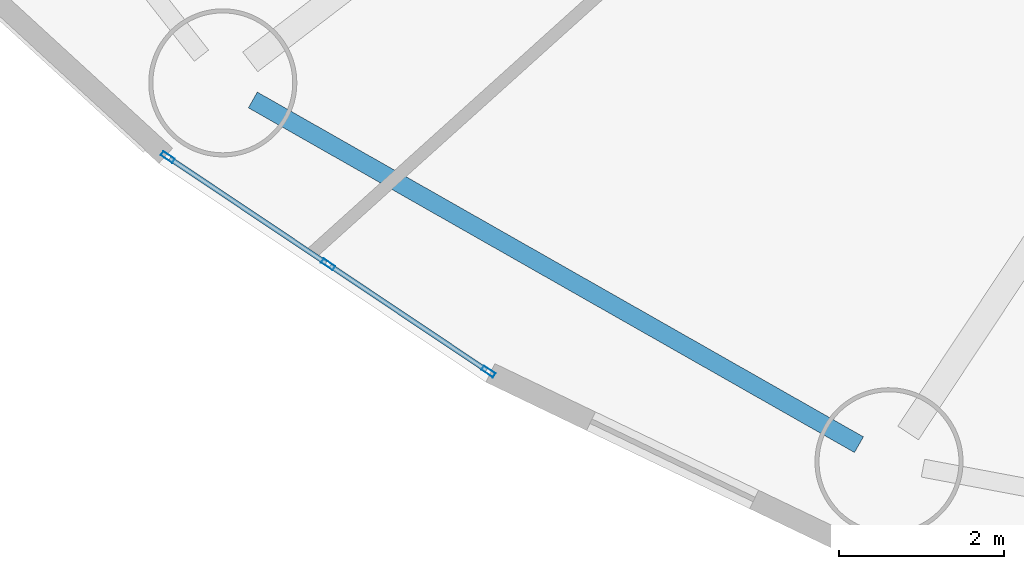
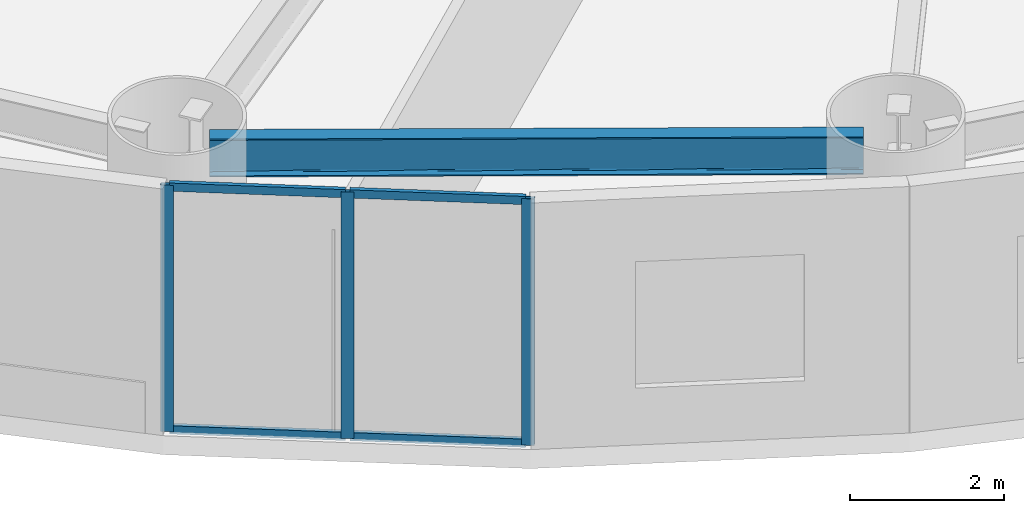
# One storey, part 4 of 30: 7 members, 1 beam, 1 element without a shape of its own.
"""IFC4 building model written with IfcOpenShell, lengths in metres."""

from ifc_helpers import new_model, si_unit, direction, frame, origin, origin_2d, place, context, subcontext, project, spatial, hollow_rectangle, i_section, extrude, source, transform, mapped, material, layer, layer_set, material_profile, profile_set, type_object, element, aggregate, save


model = new_model("IFC4")

# Units and contexts
model_context = context("Model", 3, precision=1e-05, world=origin(), true_north=direction((0.0, 1.0)))
body_context = subcontext(model_context, "Body", "Model", "MODEL_VIEW")
ifc_project = project(units=[si_unit("LENGTHUNIT", "METRE"), si_unit("AREAUNIT", "SQUARE_METRE"), si_unit("VOLUMEUNIT", "CUBIC_METRE"), si_unit("PLANEANGLEUNIT", "RADIAN"), si_unit("MASSUNIT", "GRAM", prefix="KILO")], contexts=[model_context])

# Site, building, storey
site_placement = place(None, origin())
site = spatial("IfcSite", under=ifc_project, at=site_placement, CompositionType="ELEMENT")
building_placement = place(site_placement, origin())
building = spatial("IfcBuilding", under=site, at=building_placement, Name="Linh Dai School and Residence Tower", CompositionType="ELEMENT")
storey_placement = place(building_placement, frame((0.0, 0.0, 10.199951171875)))
storey = spatial("IfcBuildingStorey", under=building, at=storey_placement, Name="L02", CompositionType="ELEMENT", Elevation=10.199951171875)

# Beam
ifc_material_1 = material(Name="Structural Steel S355JR", Category="steel")
ifc_material_profile_1 = material_profile(ifc_material_1, i_section(OverallWidth=0.219970703125, OverallDepth=0.60009765625, WebThickness=0.011962890625, FlangeThickness=0.01904296875, FilletRadius=0.02392578125, at=origin_2d()), Name="IPE 600")
ifc_profile_set_1 = profile_set([ifc_material_profile_1], Name="Structural Steel S355JR")
beam_type = type_object("IfcBeamType", Name="BM-RB60", PredefinedType="BEAM", material=ifc_profile_set_1)
beam_placement = place(storey_placement, frame((13.659912109375, 9.3916015625, 3.60009765625), z_axis=(0.869246663758, -0.494378637833, 0.0), x_axis=(0.494378637833, 0.869246663758, 0.0)))
element("IfcBeam", 1, at=beam_placement, inside=storey, type_object=beam_type, Name="L02 Perimeter Elliptical Ring Beam 11", PredefinedType="BEAM", context=body_context, shape_type="SweptSolid", body=[
    extrude(i_section(OverallWidth=0.219970703125, OverallDepth=0.60009765625, WebThickness=0.011962890625, FlangeThickness=0.01904296875, FilletRadius=0.02392578125, at=origin_2d()), origin(), (0.0, 0.0, 1.0), 8.4736328125),
])

# Curtain wall, members
ifc_material_2 = material(Name="Aluminium Anodised Curtain Wall", Category="aluminium")
ifc_layer = layer(ifc_material_2, 0.169921875)
ifc_layer_set = layer_set([ifc_layer], Name="Aluminium Anodised Curtain Wall")
curtain_wall_type = type_object("IfcCurtainWallType", Name="CW-SYS-2", PredefinedType="USERDEFINED", material=ifc_layer_set)
curtain_wall_placement = place(storey_placement, origin())
curtain_wall = element("IfcCurtainWall", 2, at=curtain_wall_placement, inside=storey, type_object=curtain_wall_type, Name="L02 CW2 Curtain Wall 26", ObjectType="UNITISED CURTAIN WALL", PredefinedType="USERDEFINED")
ifc_material_3 = material(Name="Aluminium Alloy 6063-T6", Category="aluminium")
ifc_material_profile_2 = material_profile(ifc_material_3, hollow_rectangle(XDim=0.06005859375, YDim=0.1298828125, WallThickness=0.00390625, at=origin_2d()), Name="RHS 130x60x4")
ifc_profile_set_2 = profile_set([ifc_material_profile_2], Name="Aluminium Alloy 6063-T6")
member_type_1 = type_object("IfcMemberType", Name="CW-SYS-2-TRN", PredefinedType="USERDEFINED", material=ifc_profile_set_2)
shared_shape_1 = source(origin(), body_context, "Body", "SweptSolid", [
    extrude(hollow_rectangle(XDim=0.06005859375, YDim=0.1298828125, WallThickness=0.00390625, at=origin_2d()), origin(), (0.0, 0.0, 1.0), 2.28369140625),
])
member_1_placement = place(storey_placement, frame((16.49755859375, 6.107666015625, 0.030029296875), z_axis=(-0.831260031008, 0.555883765592, 0.0), x_axis=(-0.555883765592, -0.831260031008, 0.0)))
member_1 = element("IfcMember", 3, at=member_1_placement, type_object=member_type_1, Name="CW2 transom 1.1", ObjectType="TRANSOM", PredefinedType="USERDEFINED", context=body_context, shape_type="MappedRepresentation", body=[
    mapped(shared_shape_1, transform((0.0, 0.0, 0.0), x_axis=(1.0, 0.0, 0.0), y_axis=(0.0, 1.0, 0.0), z_axis=(0.0, 0.0, 1.0), scale=1.0)),
])
member_2_placement = place(storey_placement, frame((16.49755859375, 6.107666015625, 3.8701171875), z_axis=(-0.831260031008, 0.555883765592, 0.0), x_axis=(-0.555883765592, -0.831260031008, 0.0)))
member_2 = element("IfcMember", 4, at=member_2_placement, type_object=member_type_1, Name="CW2 transom 1.2", ObjectType="TRANSOM", PredefinedType="USERDEFINED", context=body_context, shape_type="MappedRepresentation", body=[
    mapped(shared_shape_1, transform((0.0, 0.0, 0.0), x_axis=(1.0, 0.0, 0.0), y_axis=(0.0, 1.0, 0.0), z_axis=(0.0, 0.0, 1.0), scale=1.0)),
])
member_3_placement = place(storey_placement, frame((14.54931640625, 7.41064453125, 0.030029296875), z_axis=(-0.831260031008, 0.555883765592, 0.0), x_axis=(-0.555883765592, -0.831260031008, 0.0)))
member_3 = element("IfcMember", 5, at=member_3_placement, type_object=member_type_1, Name="CW2 transom 2.1", ObjectType="TRANSOM", PredefinedType="USERDEFINED", context=body_context, shape_type="MappedRepresentation", body=[
    mapped(shared_shape_1, transform((0.0, 0.0, 0.0), x_axis=(1.0, 0.0, 0.0), y_axis=(0.0, 1.0, 0.0), z_axis=(0.0, 0.0, 1.0), scale=1.0)),
])
member_4_placement = place(storey_placement, frame((14.54931640625, 7.41064453125, 3.8701171875), z_axis=(-0.831260031008, 0.555883765592, 0.0), x_axis=(-0.555883765592, -0.831260031008, 0.0)))
member_4 = element("IfcMember", 6, at=member_4_placement, type_object=member_type_1, Name="CW2 transom 2.2", ObjectType="TRANSOM", PredefinedType="USERDEFINED", context=body_context, shape_type="MappedRepresentation", body=[
    mapped(shared_shape_1, transform((0.0, 0.0, 0.0), x_axis=(1.0, 0.0, 0.0), y_axis=(0.0, 1.0, 0.0), z_axis=(0.0, 0.0, 1.0), scale=1.0)),
])
ifc_material_profile_3 = material_profile(ifc_material_3, hollow_rectangle(XDim=0.06005859375, YDim=0.169921875, WallThickness=0.00390625, at=origin_2d()), Name="RHS 170x60x4")
ifc_profile_set_3 = profile_set([ifc_material_profile_3], Name="Aluminium Alloy 6063-T6")
member_type_2 = type_object("IfcMemberType", Name="CW-SYS-2-MUL", PredefinedType="MULLION", material=ifc_profile_set_3)
shared_shape_2 = source(origin(), body_context, "Body", "SweptSolid", [
    extrude(hollow_rectangle(XDim=0.06005859375, YDim=0.169921875, WallThickness=0.00390625, at=origin_2d()), origin(), (0.0, 0.0, 1.0), 3.900146484375),
])
member_5_placement = place(storey_placement, frame((16.5224609375, 6.0908203125, 0.0), z_axis=(0.0, 0.0, 1.0), x_axis=(-0.555956563843, -0.831211344437, 0.0)))
member_5 = element("IfcMember", 7, at=member_5_placement, type_object=member_type_2, Name="CW2 mullion 1", PredefinedType="MULLION", context=body_context, shape_type="MappedRepresentation", body=[
    mapped(shared_shape_2, transform((0.0, 0.0, 0.0), x_axis=(1.0, 0.0, 0.0), y_axis=(0.0, 1.0, 0.0), z_axis=(0.0, 0.0, 1.0), scale=1.0)),
])
member_6_placement = place(storey_placement, frame((14.57421875, 7.393798828125, 0.0), z_axis=(0.0, 0.0, 1.0), x_axis=(-0.555956563843, -0.831211344437, 0.0)))
member_6 = element("IfcMember", 8, at=member_6_placement, type_object=member_type_2, Name="CW2 mullion 2", PredefinedType="MULLION", context=body_context, shape_type="MappedRepresentation", body=[
    mapped(shared_shape_2, transform((0.0, 0.0, 0.0), x_axis=(1.0, 0.0, 0.0), y_axis=(0.0, 1.0, 0.0), z_axis=(0.0, 0.0, 1.0), scale=1.0)),
])
member_7_placement = place(storey_placement, frame((12.6259765625, 8.697021484375, 0.0), z_axis=(0.0, 0.0, 1.0), x_axis=(-0.555956563843, -0.831211344437, 0.0)))
member_7 = element("IfcMember", 9, at=member_7_placement, type_object=member_type_2, Name="CW2 mullion 3", PredefinedType="MULLION", context=body_context, shape_type="MappedRepresentation", body=[
    mapped(shared_shape_2, transform((0.0, 0.0, 0.0), x_axis=(1.0, 0.0, 0.0), y_axis=(0.0, 1.0, 0.0), z_axis=(0.0, 0.0, 1.0), scale=1.0)),
])
aggregate(curtain_wall, [member_5, member_6, member_7, member_1, member_2, member_3, member_4])

save(model, "model.ifc")
